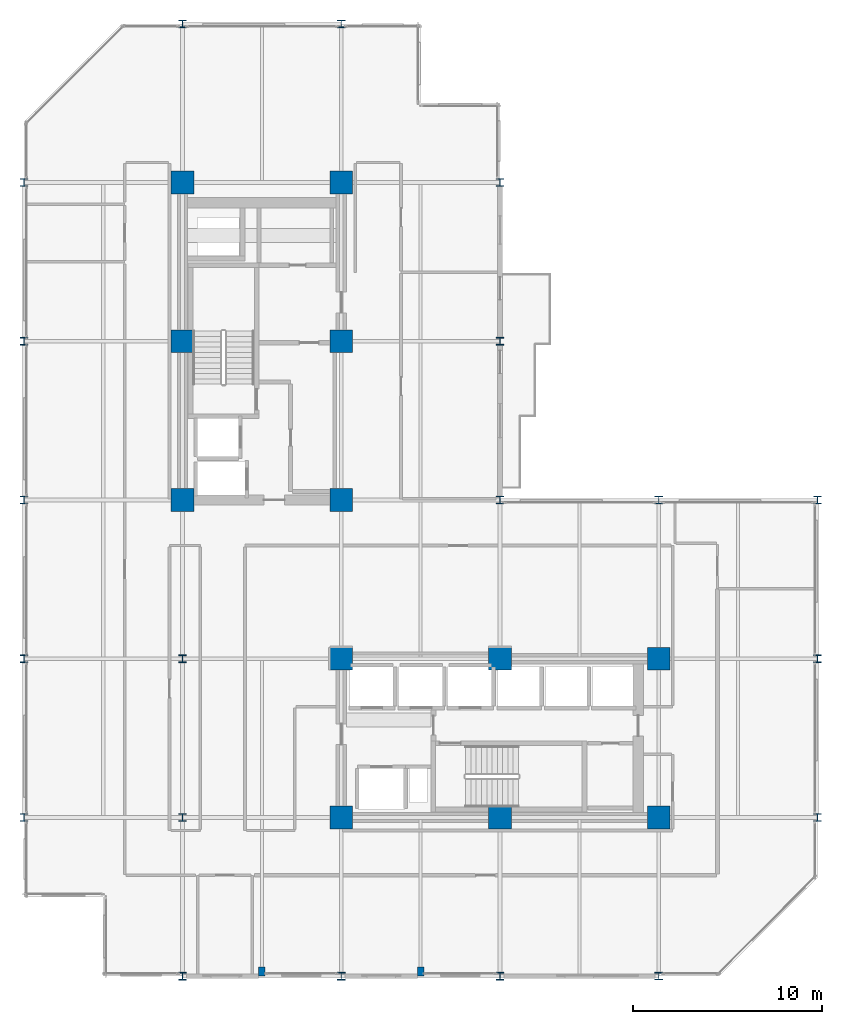
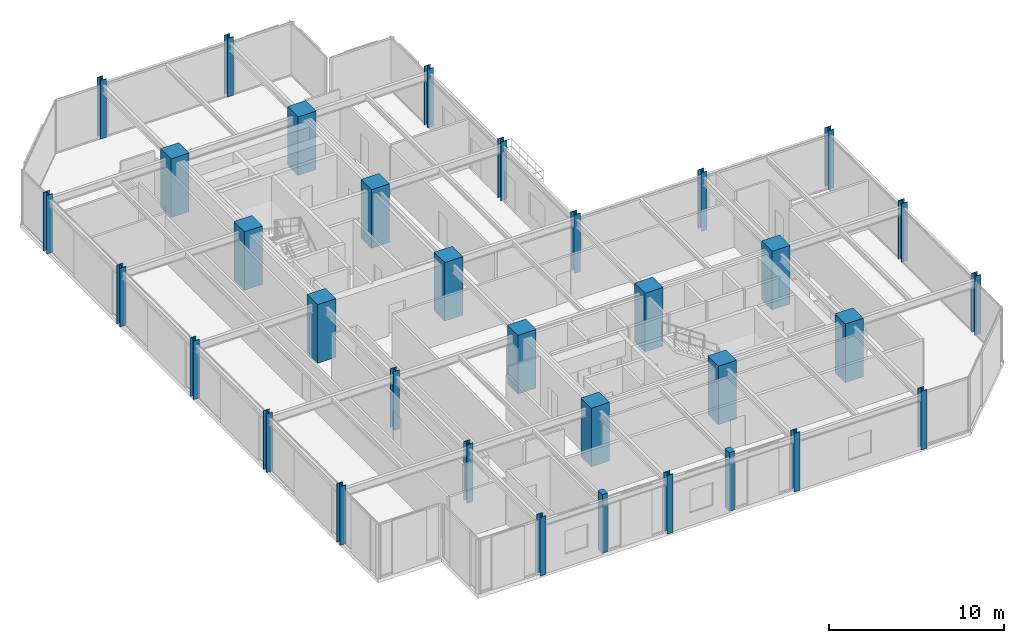
# One storey, part 1 of 29: 34 columns.
"""IFC4 building model written with IfcOpenShell, lengths in metres."""

import ifcopenshell
import ifcopenshell.guid

model = None  # the IFC model being written
_history = None  # IfcOwnerHistory: only IFC2X3 demands one
_inside = {}  # id of a spatial element -> (the spatial element, [elements in it])
_under = {}  # id of a project, library or spatial element -> (it, [spatial elements below it])
_declared = {}  # id of a project -> (the project, [libraries it declares])
_typed = {}  # id of a type object -> (the type object, [elements of that type])
_made_of = {}  # id of a material, layer set ... -> (it, [elements and type objects made of it])


def new_model(schema):
    """Start an empty IFC model of exactly this schema.

    Asked for "IFC4X3", IfcOpenShell would pick the latest addendum, in which some entities
    have other attributes; the version numbers below select the first issue.
    IFC2X3 requires an IfcOwnerHistory on every rooted entity: one is made here for all.
    """
    global model, _history
    if schema == "IFC4X3":
        model = ifcopenshell.file(schema_version=(4, 3, 0, 0))
    else:
        model = ifcopenshell.file(schema=schema)
    _inside.clear()
    _under.clear()
    _declared.clear()
    _typed.clear()
    _made_of.clear()
    _history = None
    if model.schema == "IFC2X3":
        org = make("IfcOrganization", Name="unknown")
        user = make(
            "IfcPersonAndOrganization",
            ThePerson=make("IfcPerson", FamilyName="unknown"),
            TheOrganization=org,
        )
        app = make(
            "IfcApplication",
            ApplicationDeveloper=org,
            Version="unknown",
            ApplicationFullName="unknown",
            ApplicationIdentifier="unknown",
        )
        _history = make(
            "IfcOwnerHistory",
            OwningUser=user,
            OwningApplication=app,
            ChangeAction="ADDED",
            CreationDate=0,
        )
    return model


def make(cls, **values):
    """One entity of the class cls with the attributes given. An attribute that is None is left unset."""
    return model.create_entity(
        cls, **{name: value for name, value in values.items() if value is not None}
    )


def rooted(cls, **values):
    """An entity with a GlobalId (a new one), such as an element, a storey or a relation."""
    return make(cls, GlobalId=ifcopenshell.guid.new(), OwnerHistory=_history, **values)


def si_unit(unit_type, name, prefix=None):
    """IfcSIUnit, for example si_unit("LENGTHUNIT", "METRE", prefix="MILLI")."""
    return make("IfcSIUnit", UnitType=unit_type, Prefix=prefix, Name=name)


def assignment(units):
    """IfcUnitAssignment: the units of a project."""
    return None if units is None else make("IfcUnitAssignment", Units=units)


def point(xyz):
    """IfcCartesianPoint."""
    return None if xyz is None else make("IfcCartesianPoint", Coordinates=xyz)


def direction(xyz):
    """IfcDirection."""
    return None if xyz is None else make("IfcDirection", DirectionRatios=xyz)


def frame(location, z_axis=None, x_axis=None):
    """IfcAxis2Placement3D, a coordinate frame: its origin and axes. An axis left out is left unset."""
    return make(
        "IfcAxis2Placement3D",
        Location=point(location),
        Axis=direction(z_axis),
        RefDirection=direction(x_axis),
    )


def frame_2d(location, x_axis=None):
    """IfcAxis2Placement2D, a coordinate frame in the plane: its origin and x axis."""
    return make(
        "IfcAxis2Placement2D", Location=point(location), RefDirection=direction(x_axis)
    )


def origin():
    """The frame at (0, 0, 0) with its axes left unset."""
    return frame((0.0, 0.0, 0.0))


def origin_2d():
    """The frame at (0, 0) in the plane with its x axis left unset."""
    return frame_2d((0.0, 0.0))


def place(relative_to, where):
    """IfcLocalPlacement: puts the frame where relative to a parent placement (None: the world)."""
    return make(
        "IfcLocalPlacement", PlacementRelTo=relative_to, RelativePlacement=where
    )


def context(
    kind, dimensions, precision=None, world=None, true_north=None, identifier=None
):
    """IfcGeometricRepresentationContext, for example the 3D "Model" context."""
    return make(
        "IfcGeometricRepresentationContext",
        ContextIdentifier=identifier,
        ContextType=kind,
        CoordinateSpaceDimension=dimensions,
        Precision=precision,
        WorldCoordinateSystem=world,
        TrueNorth=true_north,
    )


def subcontext(parent, identifier, kind, view, scale=None):
    """IfcGeometricRepresentationSubContext, for example "Body" below "Model"."""
    return make(
        "IfcGeometricRepresentationSubContext",
        ContextIdentifier=identifier,
        ContextType=kind,
        ParentContext=parent,
        TargetScale=scale,
        TargetView=view,
    )


def project(units=None, contexts=None):
    """IfcProject with its units and contexts."""
    return rooted(
        "IfcProject",
        Name="project",
        RepresentationContexts=contexts,
        UnitsInContext=assignment(units),
    )


def spatial(cls, under=None, at=None, **own):
    """A site, building, storey or space (cls), placed at a placement, below another one or the project."""
    s = rooted(cls, ObjectPlacement=at, **own)
    if under is not None:
        _under.setdefault(under.id(), (under, []))[1].append(s)
    return s


def profile(cls, at=None, kind="AREA", **sizes):
    """A parametric profile (cls). Its sizes go by their IFC names, for example OverallWidth=200.0."""
    return make(cls, ProfileType=kind, Position=at, **sizes)


def rectangle(**sizes):
    """IfcRectangleProfileDef."""
    return profile("IfcRectangleProfileDef", **sizes)


def i_section(**sizes):
    """IfcIShapeProfileDef."""
    return profile("IfcIShapeProfileDef", **sizes)


def extrude(swept, where, along, depth):
    """IfcExtrudedAreaSolid: the profile swept, set in the frame where, extruded along a direction by depth."""
    return make(
        "IfcExtrudedAreaSolid",
        SweptArea=swept,
        Position=where,
        ExtrudedDirection=direction(along),
        Depth=depth,
    )


def shape(context_of_items, identifier, shape_type, items):
    """IfcShapeRepresentation: the items that make up one representation, for example the "Body"."""
    return make(
        "IfcShapeRepresentation",
        ContextOfItems=context_of_items,
        RepresentationIdentifier=identifier,
        RepresentationType=shape_type,
        Items=items,
    )


def material(Name=None, Category=None):
    """IfcMaterial."""
    return make("IfcMaterial", Name=Name, Category=Category)


def material_profile(
    of_material, cross_section, Name=None, Category=None, Priority=None
):
    """IfcMaterialProfile: a cross section and its material."""
    return make(
        "IfcMaterialProfile",
        Name=Name,
        Material=of_material,
        Profile=cross_section,
        Priority=Priority,
        Category=Category,
    )


def profile_set(profiles, Name=None, composite=None):
    """IfcMaterialProfileSet."""
    return make(
        "IfcMaterialProfileSet",
        Name=Name,
        MaterialProfiles=profiles,
        CompositeProfile=composite,
    )


def made_of(thing, what):
    """Note that an element or type object is made of a material, layer set ...; save() writes the relation."""
    if what is not None:
        _made_of.setdefault(what.id(), (what, []))[1].append(thing)
    return thing


def type_object(cls, material=None, **own):
    """A type object (cls), such as IfcWallType, which elements share."""
    return made_of(rooted(cls, **own), material)


def element(
    cls,
    number,
    at=None,
    inside=None,
    cuts=None,
    type_object=None,
    material=None,
    context=None,
    identifier="Body",
    shape_type=None,
    held_by="IfcProductDefinitionShape",
    body=None,
    shapes=None,
    **own,
):
    """One element of the class cls, such as IfcWall. Its Tag is "e" and its number.

    at: its placement. inside: the storey or other place that contains it. cuts: it is an
    opening in that element (IfcRelVoidsElement). A single representation is given by context,
    identifier, shape_type and body (its items); several are given by shapes. held_by: the class
    of the entity that holds the representations. save() writes the other relations.
    """
    e = rooted(cls, Tag="e%d" % number, ObjectPlacement=at, **own)
    if body is not None:
        shapes = [shape(context, identifier, shape_type, body)]
    if shapes is not None:
        e.Representation = make(held_by, Representations=shapes)
    if inside is not None:
        _inside.setdefault(inside.id(), (inside, []))[1].append(e)
    if cuts is not None:
        rooted(
            "IfcRelVoidsElement", RelatingBuildingElement=cuts, RelatedOpeningElement=e
        )
    if type_object is not None:
        _typed.setdefault(type_object.id(), (type_object, []))[1].append(e)
    return made_of(e, material)


def aggregate(whole, parts):
    """IfcRelAggregates: a whole, such as a stair, and the parts it consists of."""
    return rooted("IfcRelAggregates", RelatingObject=whole, RelatedObjects=parts)


def save(model, path):
    """Write the relations noted so far, then the file.

    IfcRelAggregates (storeys below a building ...), IfcRelContainedInSpatialStructure (elements
    in a storey), IfcRelDefinesByType, IfcRelAssociatesMaterial and IfcRelDeclares: one each for
    every whole, place, type object, material and project.
    """
    for whole, parts in _under.values():
        aggregate(whole, parts)
    for where, things in _inside.values():
        rooted(
            "IfcRelContainedInSpatialStructure",
            RelatedElements=things,
            RelatingStructure=where,
        )
    for kind, things in _typed.values():
        rooted("IfcRelDefinesByType", RelatedObjects=things, RelatingType=kind)
    for what, things in _made_of.values():
        rooted("IfcRelAssociatesMaterial", RelatedObjects=things, RelatingMaterial=what)
    for by, libraries in _declared.values():
        rooted("IfcRelDeclares", RelatingContext=by, RelatedDefinitions=libraries)
    model.write(path)


model = new_model("IFC4")

# Units and contexts
model_context = context("Model", 3, precision=1e-05, world=origin(), true_north=direction((0.0, 1.0)))
body_context = subcontext(model_context, "Body", "Model", "MODEL_VIEW")
ifc_project = project(units=[si_unit("LENGTHUNIT", "METRE"), si_unit("AREAUNIT", "SQUARE_METRE"), si_unit("VOLUMEUNIT", "CUBIC_METRE"), si_unit("PLANEANGLEUNIT", "RADIAN"), si_unit("MASSUNIT", "GRAM", prefix="KILO")], contexts=[model_context])

# Site, building, storey
site_placement = place(None, origin())
site = spatial("IfcSite", under=ifc_project, at=site_placement, CompositionType="ELEMENT")
building_placement = place(site_placement, origin())
building = spatial("IfcBuilding", under=site, at=building_placement, Name="Nerrivon Quay Data Exchange", CompositionType="ELEMENT")
storey_placement = place(building_placement, frame((0.0, 0.0, 158.199951171875)))
storey = spatial("IfcBuildingStorey", under=building, at=storey_placement, Name="L37", CompositionType="ELEMENT", Elevation=158.199951171875)

# Columns
ifc_material_1 = material(Name="Concrete S65 (65 MPa)", Category="concrete")
ifc_material_profile_1 = material_profile(ifc_material_1, rectangle(XDim=1.199951171875, YDim=1.199951171875, at=origin_2d()), Name="RC-COL-1200x1200")
ifc_profile_set_1 = profile_set([ifc_material_profile_1], Name="Concrete S65 (65 MPa)")
column_type_1 = type_object("IfcColumnType", Name="COL-C3-1200", PredefinedType="COLUMN", material=ifc_profile_set_1)
for number, where, z_axis, x_axis, name in (
    (1, (8.39990234375, 25.199951171875, 0.0), (0.0, 0.0, 1.0), (1.0, 0.0, 0.0), "L37 Column (8.4,25.2)"),
    (2, (8.39990234375, 33.60009765625, 0.0), (0.0, 0.0, 1.0), (1.0, 0.0, 0.0), "L37 Column (8.4,33.6)"),
    (3, (8.39990234375, 42.0, 0.0), (0.0, 0.0, 1.0), (1.0, 0.0, 0.0), "L37 Column (8.4,42.0)"),
    (4, (16.800048828125, 8.39990234375, 0.0), (0.0, 0.0, 1.0), (1.0, 0.0, 0.0), "L37 Column (16.8,8.4)"),
    (5, (16.800048828125, 16.800048828125, 0.0), (0.0, 0.0, 1.0), (1.0, 0.0, 0.0), "L37 Column (16.8,16.8)"),
    (6, (16.800048828125, 25.199951171875, 0.0), (0.0, 0.0, 1.0), (1.0, 0.0, 0.0), "L37 Column (16.8,25.2)"),
    (7, (16.800048828125, 33.60009765625, 0.0), (0.0, 0.0, 1.0), (1.0, 0.0, 0.0), "L37 Column (16.8,33.6)"),
    (8, (16.800048828125, 42.0, 0.0), (0.0, 0.0, 1.0), (1.0, 0.0, 0.0), "L37 Column (16.8,42.0)"),
    (9, (25.199951171875, 8.39990234375, 0.0), (0.0, 0.0, 1.0), (1.0, 0.0, 0.0), "L37 Column (25.2,8.4)"),
    (10, (25.199951171875, 16.800048828125, 0.0), (0.0, 0.0, 1.0), (1.0, 0.0, 0.0), "L37 Column (25.2,16.8)"),
    (11, (33.60009765625, 8.39990234375, 0.0), (0.0, 0.0, 1.0), (1.0, 0.0, 0.0), "L37 Column (33.6,8.4)"),
    (12, (33.60009765625, 16.800048828125, 0.0), (0.0, 0.0, 1.0), (1.0, 0.0, 0.0), "L37 Column (33.6,16.8)"),
):
    element("IfcColumn", number, at=place(storey_placement, frame(where, z_axis=z_axis, x_axis=x_axis)), inside=storey, type_object=column_type_1, Name=name, PredefinedType="COLUMN", context=body_context, shape_type="SweptSolid", body=[
        extrude(rectangle(XDim=1.199951171875, YDim=1.199951171875, at=origin_2d()), origin(), (0.0, 0.0, 1.0), 4.10009765625),
    ])
ifc_material_2 = material(Name="Steel Grade 350", Category="steel")
ifc_material_profile_2 = material_profile(ifc_material_2, i_section(OverallWidth=0.39990234375, OverallDepth=0.39990234375, WebThickness=0.02490234375, FlangeThickness=0.0400390625, at=origin_2d()), Name="400WC328")
ifc_profile_set_2 = profile_set([ifc_material_profile_2], Name="Steel Grade 350")
column_type_2 = type_object("IfcColumnType", Name="COL-SC2-400WC", PredefinedType="COLUMN", material=ifc_profile_set_2)
for number, where, z_axis, x_axis, name in (
    (13, (0.0, 8.39990234375, 0.0), (0.0, 0.0, 1.0), (1.0, 0.0, 0.0), "L37 Column (0.0,8.4)"),
    (14, (0.0, 16.800048828125, 0.0), (0.0, 0.0, 1.0), (1.0, 0.0, 0.0), "L37 Column (0.0,16.8)"),
    (15, (0.0, 25.199951171875, 0.0), (0.0, 0.0, 1.0), (1.0, 0.0, 0.0), "L37 Column (0.0,25.2)"),
    (16, (0.0, 33.60009765625, 0.0), (0.0, 0.0, 1.0), (1.0, 0.0, 0.0), "L37 Column (0.0,33.6)"),
    (17, (0.0, 42.0, 0.0), (0.0, 0.0, 1.0), (1.0, 0.0, 0.0), "L37 Column (0.0,42.0)"),
    (18, (8.39990234375, 0.0, 0.0), (0.0, 0.0, 1.0), (1.0, 0.0, 0.0), "L37 Column (8.4,0.0)"),
    (19, (8.39990234375, 8.39990234375, 0.0), (0.0, 0.0, 1.0), (1.0, 0.0, 0.0), "L37 Column (8.4,8.4)"),
    (20, (8.39990234375, 16.800048828125, 0.0), (0.0, 0.0, 1.0), (1.0, 0.0, 0.0), "L37 Column (8.4,16.8)"),
    (21, (8.39990234375, 50.39990234375, 0.0), (0.0, 0.0, 1.0), (1.0, 0.0, 0.0), "L37 Column (8.4,50.4)"),
    (22, (16.800048828125, 0.0, 0.0), (0.0, 0.0, 1.0), (1.0, 0.0, 0.0), "L37 Column (16.8,0.0)"),
    (23, (16.800048828125, 50.39990234375, 0.0), (0.0, 0.0, 1.0), (1.0, 0.0, 0.0), "L37 Column (16.8,50.4)"),
    (24, (25.199951171875, 0.0, 0.0), (0.0, 0.0, 1.0), (1.0, 0.0, 0.0), "L37 Column (25.2,0.0)"),
    (25, (25.199951171875, 25.199951171875, 0.0), (0.0, 0.0, 1.0), (1.0, 0.0, 0.0), "L37 Column (25.2,25.2)"),
    (26, (25.199951171875, 33.60009765625, 0.0), (0.0, 0.0, 1.0), (1.0, 0.0, 0.0), "L37 Column (25.2,33.6)"),
    (27, (25.199951171875, 42.0, 0.0), (0.0, 0.0, 1.0), (1.0, 0.0, 0.0), "L37 Column (25.2,42.0)"),
    (28, (33.60009765625, 0.0, 0.0), (0.0, 0.0, 1.0), (1.0, 0.0, 0.0), "L37 Column (33.6,0.0)"),
    (29, (33.60009765625, 25.199951171875, 0.0), (0.0, 0.0, 1.0), (1.0, 0.0, 0.0), "L37 Column (33.6,25.2)"),
    (30, (42.0, 8.39990234375, 0.0), (0.0, 0.0, 1.0), (1.0, 0.0, 0.0), "L37 Column (42.0,8.4)"),
    (31, (42.0, 16.800048828125, 0.0), (0.0, 0.0, 1.0), (1.0, 0.0, 0.0), "L37 Column (42.0,16.8)"),
    (32, (42.0, 25.199951171875, 0.0), (0.0, 0.0, 1.0), (1.0, 0.0, 0.0), "L37 Column (42.0,25.2)"),
):
    element("IfcColumn", number, at=place(storey_placement, frame(where, z_axis=z_axis, x_axis=x_axis)), inside=storey, type_object=column_type_2, Name=name, PredefinedType="COLUMN", context=body_context, shape_type="SweptSolid", body=[
        extrude(i_section(OverallWidth=0.39990234375, OverallDepth=0.39990234375, WebThickness=0.02490234375, FlangeThickness=0.0400390625, at=origin_2d()), origin(), (0.0, 0.0, 1.0), 4.10009765625),
    ])
ifc_material_3 = material(Name="Concrete N50 (50 MPa)", Category="concrete")
ifc_material_profile_3 = material_profile(ifc_material_3, rectangle(XDim=0.35009765625, YDim=0.5, at=origin_2d()), Name="RC-PIL-500x350")
ifc_profile_set_3 = profile_set([ifc_material_profile_3], Name="Concrete N50 (50 MPa)")
column_type_3 = type_object("IfcColumnType", Name="PIL-P2-500x350", PredefinedType="PILASTER", material=ifc_profile_set_3)
for number, where, z_axis, x_axis, name in (
    (33, (12.60009765625, 0.25, 0.0), (0.0, 0.0, 1.0), (1.0, 0.0, 0.0), "L37 Facade Pilaster (12.6)"),
    (34, (21.0, 0.25, 0.0), (0.0, 0.0, 1.0), (1.0, 0.0, 0.0), "L37 Facade Pilaster (21.0)"),
):
    element("IfcColumn", number, at=place(storey_placement, frame(where, z_axis=z_axis, x_axis=x_axis)), inside=storey, type_object=column_type_3, Name=name, PredefinedType="PILASTER", context=body_context, shape_type="SweptSolid", body=[
        extrude(rectangle(XDim=0.35009765625, YDim=0.5, at=origin_2d()), origin(), (0.0, 0.0, 1.0), 4.10009765625),
    ])

save(model, "model.ifc")
